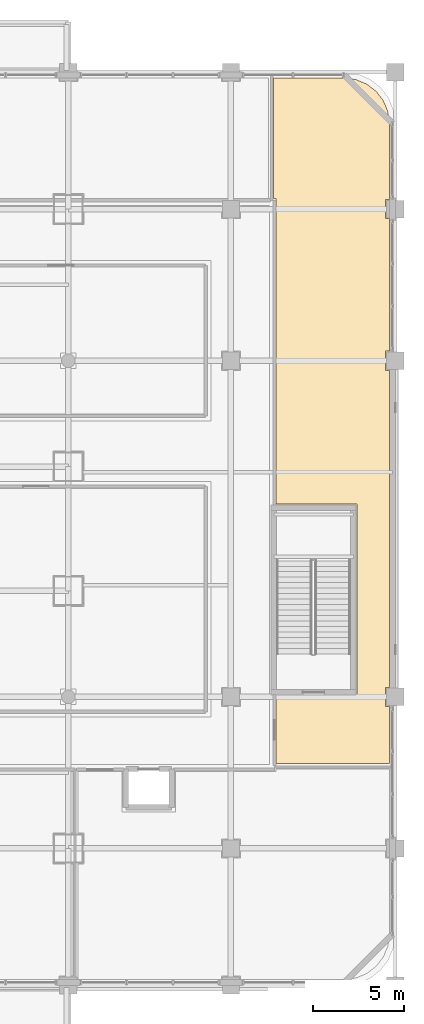
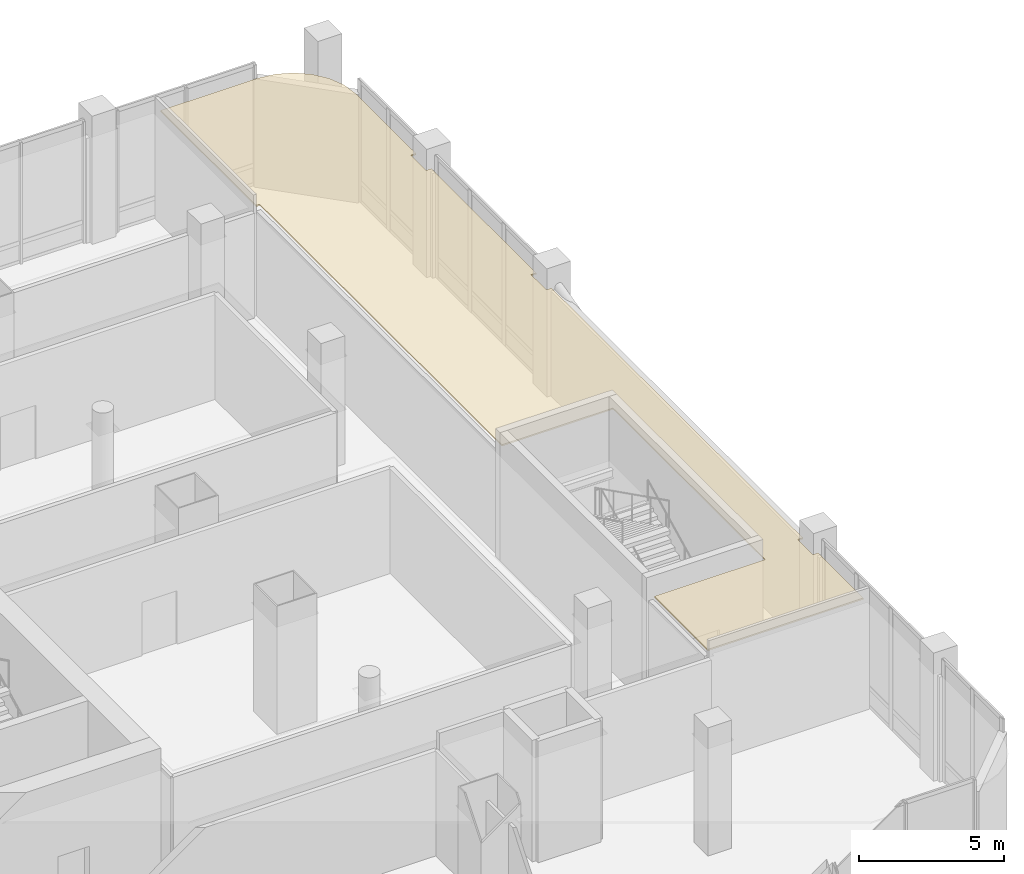
# One storey, part 43 of 43: 1 covering.
"""IFC4 building model written with IfcOpenShell, lengths in metres."""

import ifcopenshell
import ifcopenshell.guid

model = None  # the IFC model being written
_history = None  # IfcOwnerHistory: only IFC2X3 demands one
_inside = {}  # id of a spatial element -> (the spatial element, [elements in it])
_under = {}  # id of a project, library or spatial element -> (it, [spatial elements below it])
_declared = {}  # id of a project -> (the project, [libraries it declares])
_typed = {}  # id of a type object -> (the type object, [elements of that type])
_made_of = {}  # id of a material, layer set ... -> (it, [elements and type objects made of it])


def new_model(schema):
    """Start an empty IFC model of exactly this schema.

    Asked for "IFC4X3", IfcOpenShell would pick the latest addendum, in which some entities
    have other attributes; the version numbers below select the first issue.
    IFC2X3 requires an IfcOwnerHistory on every rooted entity: one is made here for all.
    """
    global model, _history
    if schema == "IFC4X3":
        model = ifcopenshell.file(schema_version=(4, 3, 0, 0))
    else:
        model = ifcopenshell.file(schema=schema)
    _inside.clear()
    _under.clear()
    _declared.clear()
    _typed.clear()
    _made_of.clear()
    _history = None
    if model.schema == "IFC2X3":
        org = make("IfcOrganization", Name="unknown")
        user = make(
            "IfcPersonAndOrganization",
            ThePerson=make("IfcPerson", FamilyName="unknown"),
            TheOrganization=org,
        )
        app = make(
            "IfcApplication",
            ApplicationDeveloper=org,
            Version="unknown",
            ApplicationFullName="unknown",
            ApplicationIdentifier="unknown",
        )
        _history = make(
            "IfcOwnerHistory",
            OwningUser=user,
            OwningApplication=app,
            ChangeAction="ADDED",
            CreationDate=0,
        )
    return model


def make(cls, **values):
    """One entity of the class cls with the attributes given. An attribute that is None is left unset."""
    return model.create_entity(
        cls, **{name: value for name, value in values.items() if value is not None}
    )


def rooted(cls, **values):
    """An entity with a GlobalId (a new one), such as an element, a storey or a relation."""
    return make(cls, GlobalId=ifcopenshell.guid.new(), OwnerHistory=_history, **values)


def si_unit(unit_type, name, prefix=None):
    """IfcSIUnit, for example si_unit("LENGTHUNIT", "METRE", prefix="MILLI")."""
    return make("IfcSIUnit", UnitType=unit_type, Prefix=prefix, Name=name)


def assignment(units):
    """IfcUnitAssignment: the units of a project."""
    return None if units is None else make("IfcUnitAssignment", Units=units)


def point(xyz):
    """IfcCartesianPoint."""
    return None if xyz is None else make("IfcCartesianPoint", Coordinates=xyz)


def direction(xyz):
    """IfcDirection."""
    return None if xyz is None else make("IfcDirection", DirectionRatios=xyz)


def frame(location, z_axis=None, x_axis=None):
    """IfcAxis2Placement3D, a coordinate frame: its origin and axes. An axis left out is left unset."""
    return make(
        "IfcAxis2Placement3D",
        Location=point(location),
        Axis=direction(z_axis),
        RefDirection=direction(x_axis),
    )


def origin():
    """The frame at (0, 0, 0) with its axes left unset."""
    return frame((0.0, 0.0, 0.0))


def place(relative_to, where):
    """IfcLocalPlacement: puts the frame where relative to a parent placement (None: the world)."""
    return make(
        "IfcLocalPlacement", PlacementRelTo=relative_to, RelativePlacement=where
    )


def context(
    kind, dimensions, precision=None, world=None, true_north=None, identifier=None
):
    """IfcGeometricRepresentationContext, for example the 3D "Model" context."""
    return make(
        "IfcGeometricRepresentationContext",
        ContextIdentifier=identifier,
        ContextType=kind,
        CoordinateSpaceDimension=dimensions,
        Precision=precision,
        WorldCoordinateSystem=world,
        TrueNorth=true_north,
    )


def subcontext(parent, identifier, kind, view, scale=None):
    """IfcGeometricRepresentationSubContext, for example "Body" below "Model"."""
    return make(
        "IfcGeometricRepresentationSubContext",
        ContextIdentifier=identifier,
        ContextType=kind,
        ParentContext=parent,
        TargetScale=scale,
        TargetView=view,
    )


def project(units=None, contexts=None):
    """IfcProject with its units and contexts."""
    return rooted(
        "IfcProject",
        Name="project",
        RepresentationContexts=contexts,
        UnitsInContext=assignment(units),
    )


def spatial(cls, under=None, at=None, **own):
    """A site, building, storey or space (cls), placed at a placement, below another one or the project."""
    s = rooted(cls, ObjectPlacement=at, **own)
    if under is not None:
        _under.setdefault(under.id(), (under, []))[1].append(s)
    return s


def polyline(points):
    """IfcPolyline through the points."""
    return make("IfcPolyline", Points=[point(p) for p in points])


def outline(outer, holes=None, kind="AREA"):
    """IfcArbitraryClosedProfileDef: a profile drawn as a closed curve; with holes, ...WithVoids."""
    if holes is None:
        return make("IfcArbitraryClosedProfileDef", ProfileType=kind, OuterCurve=outer)
    return make(
        "IfcArbitraryProfileDefWithVoids",
        ProfileType=kind,
        OuterCurve=outer,
        InnerCurves=holes,
    )


def extrude(swept, where, along, depth):
    """IfcExtrudedAreaSolid: the profile swept, set in the frame where, extruded along a direction by depth."""
    return make(
        "IfcExtrudedAreaSolid",
        SweptArea=swept,
        Position=where,
        ExtrudedDirection=direction(along),
        Depth=depth,
    )


def shape(context_of_items, identifier, shape_type, items):
    """IfcShapeRepresentation: the items that make up one representation, for example the "Body"."""
    return make(
        "IfcShapeRepresentation",
        ContextOfItems=context_of_items,
        RepresentationIdentifier=identifier,
        RepresentationType=shape_type,
        Items=items,
    )


def material(Name=None, Category=None):
    """IfcMaterial."""
    return make("IfcMaterial", Name=Name, Category=Category)


def layer(
    of_material, thickness, ventilated=None, Name=None, Category=None, Priority=None
):
    """IfcMaterialLayer: one layer of a wall or slab, of a material (None: an air gap)."""
    return make(
        "IfcMaterialLayer",
        Material=of_material,
        LayerThickness=thickness,
        IsVentilated=ventilated,
        Name=Name,
        Category=Category,
        Priority=Priority,
    )


def layer_set(layers, Name=None):
    """IfcMaterialLayerSet."""
    return make("IfcMaterialLayerSet", MaterialLayers=layers, LayerSetName=Name)


def made_of(thing, what):
    """Note that an element or type object is made of a material, layer set ...; save() writes the relation."""
    if what is not None:
        _made_of.setdefault(what.id(), (what, []))[1].append(thing)
    return thing


def type_object(cls, material=None, **own):
    """A type object (cls), such as IfcWallType, which elements share."""
    return made_of(rooted(cls, **own), material)


def element(
    cls,
    number,
    at=None,
    inside=None,
    cuts=None,
    type_object=None,
    material=None,
    context=None,
    identifier="Body",
    shape_type=None,
    held_by="IfcProductDefinitionShape",
    body=None,
    shapes=None,
    **own,
):
    """One element of the class cls, such as IfcWall. Its Tag is "e" and its number.

    at: its placement. inside: the storey or other place that contains it. cuts: it is an
    opening in that element (IfcRelVoidsElement). A single representation is given by context,
    identifier, shape_type and body (its items); several are given by shapes. held_by: the class
    of the entity that holds the representations. save() writes the other relations.
    """
    e = rooted(cls, Tag="e%d" % number, ObjectPlacement=at, **own)
    if body is not None:
        shapes = [shape(context, identifier, shape_type, body)]
    if shapes is not None:
        e.Representation = make(held_by, Representations=shapes)
    if inside is not None:
        _inside.setdefault(inside.id(), (inside, []))[1].append(e)
    if cuts is not None:
        rooted(
            "IfcRelVoidsElement", RelatingBuildingElement=cuts, RelatedOpeningElement=e
        )
    if type_object is not None:
        _typed.setdefault(type_object.id(), (type_object, []))[1].append(e)
    return made_of(e, material)


def aggregate(whole, parts):
    """IfcRelAggregates: a whole, such as a stair, and the parts it consists of."""
    return rooted("IfcRelAggregates", RelatingObject=whole, RelatedObjects=parts)


def save(model, path):
    """Write the relations noted so far, then the file.

    IfcRelAggregates (storeys below a building ...), IfcRelContainedInSpatialStructure (elements
    in a storey), IfcRelDefinesByType, IfcRelAssociatesMaterial and IfcRelDeclares: one each for
    every whole, place, type object, material and project.
    """
    for whole, parts in _under.values():
        aggregate(whole, parts)
    for where, things in _inside.values():
        rooted(
            "IfcRelContainedInSpatialStructure",
            RelatedElements=things,
            RelatingStructure=where,
        )
    for kind, things in _typed.values():
        rooted("IfcRelDefinesByType", RelatedObjects=things, RelatingType=kind)
    for what, things in _made_of.values():
        rooted("IfcRelAssociatesMaterial", RelatedObjects=things, RelatingMaterial=what)
    for by, libraries in _declared.values():
        rooted("IfcRelDeclares", RelatingContext=by, RelatedDefinitions=libraries)
    model.write(path)


model = new_model("IFC4")

# Units and contexts
model_context = context("Model", 3, precision=1e-05, world=origin(), true_north=direction((0.0, 1.0)))
body_context = subcontext(model_context, "Body", "Model", "MODEL_VIEW")
ifc_project = project(units=[si_unit("LENGTHUNIT", "METRE"), si_unit("AREAUNIT", "SQUARE_METRE"), si_unit("VOLUMEUNIT", "CUBIC_METRE"), si_unit("PLANEANGLEUNIT", "RADIAN"), si_unit("MASSUNIT", "GRAM", prefix="KILO")], contexts=[model_context])

# Site, building, storey
site_placement = place(None, origin())
site = spatial("IfcSite", under=ifc_project, at=site_placement, CompositionType="ELEMENT")
building_placement = place(site_placement, origin())
building = spatial("IfcBuilding", under=site, at=building_placement, Name="Punatoya Terracotta Tower", CompositionType="ELEMENT")
storey_placement = place(building_placement, frame((0.0, 0.0, 6.0)))
storey = spatial("IfcBuildingStorey", under=building, at=storey_placement, Name="L01", CompositionType="ELEMENT", Elevation=6.0)

# Covering
ifc_material = material(Name="Acoustic Mineral Fibre Ceiling")
ifc_layer = layer(ifc_material, 0.06005859375)
ifc_layer_set = layer_set([ifc_layer], Name="Acoustic Mineral Fibre Ceiling")
covering_type = type_object("IfcCoveringType", Name="COV-CEIL-60", PredefinedType="CEILING", material=ifc_layer_set)
covering_placement = place(storey_placement, frame((0.0, 0.0, 4.510009765625)))
element("IfcCovering", 1, at=covering_placement, inside=storey, type_object=covering_type, Name="L01 East Client Hospitality Centre Acoustic Ceiling", PredefinedType="CEILING", context=body_context, shape_type="SweptSolid", body=[
    extrude(outline(polyline([(30.47998046875, -12.860107421875), (36.679931640625, -12.860107421875), (36.679931640625, -9.72509765625), (36.47509765625, -9.72509765625), (36.47509765625, -8.675048828125), (36.679931640625, -8.675048828125), (36.679931640625, 8.675048828125), (36.47509765625, 8.675048828125), (36.47509765625, 9.72509765625), (36.679931640625, 9.72509765625), (36.679931640625, 16.97509765625), (36.47509765625, 16.97509765625), (36.47509765625, 18.02490234375), (36.679931640625, 18.02490234375), (36.679931640625, 22.178955078125), (36.5927734375, 22.84130859375), (36.345458984375, 23.438720703125), (35.95166015625, 23.95166015625), (35.438720703125, 24.345458984375), (34.84130859375, 24.5927734375), (34.178955078125, 24.679931640625), (30.340087890625, 24.679931640625), (30.340087890625, 18.080078125), (30.47998046875, 18.080078125), (30.47998046875, 1.360107421875), (34.909912109375, 1.360107421875), (34.909912109375, -9.159912109375), (30.47998046875, -9.159912109375), (30.47998046875, -12.860107421875)])), origin(), (0.0, 0.0, 1.0), 0.06005859375),
])

save(model, "model.ifc")
